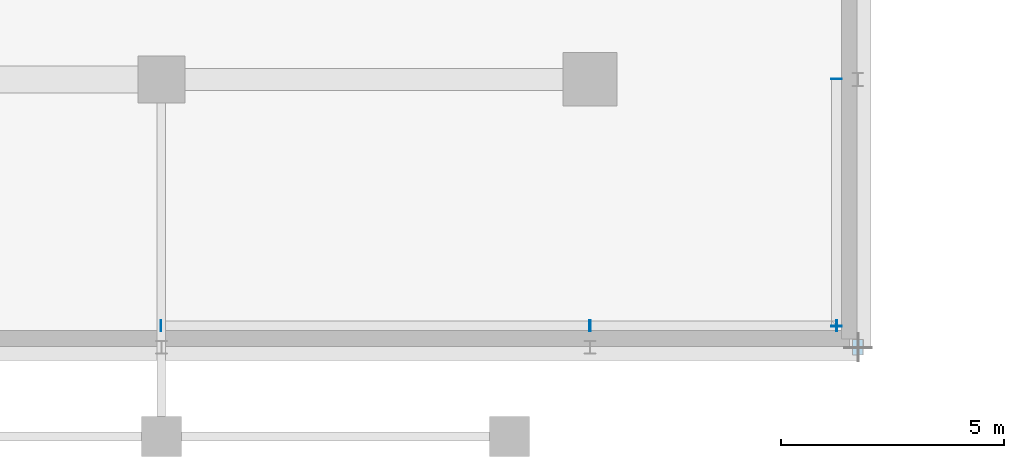
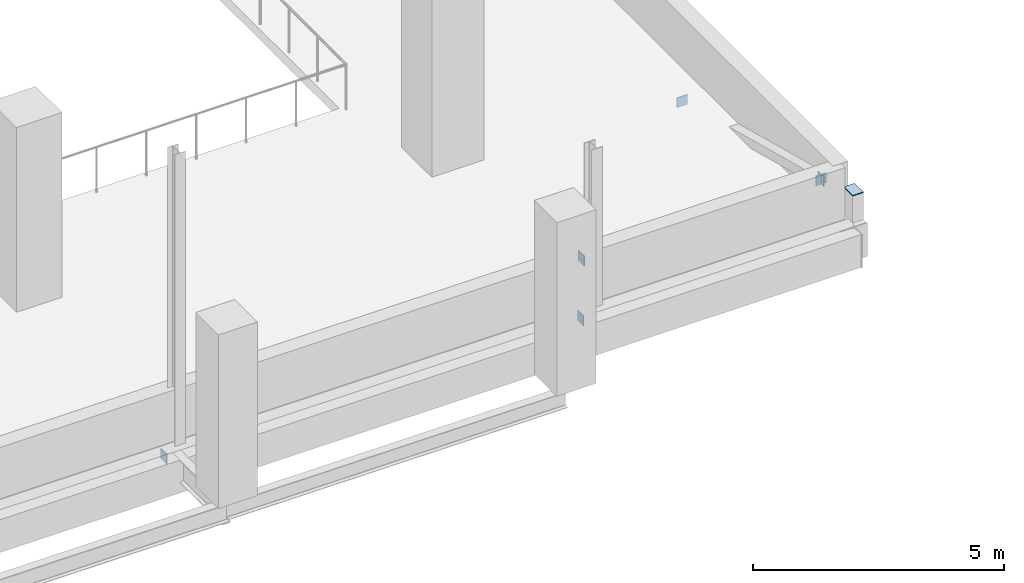
# One storey, part 65 of 85: 7 plates.
"""IFC4 building model written with IfcOpenShell, lengths in metres."""

from ifc_helpers import new_model, si_unit, derived_unit, direction, frame, origin, origin_2d, place, context, subcontext, project, spatial, rectangle, extrude, material, layer, layer_set, type_object, element, save


model = new_model("IFC4")

# Units and contexts
model_context = context("Model", 3, precision=1e-05, world=origin(), true_north=direction((0.0, 1.0)))
body_context = subcontext(model_context, "Body", "Model", "MODEL_VIEW")
ifc_project = project(units=[si_unit("LENGTHUNIT", "METRE"), si_unit("AREAUNIT", "SQUARE_METRE"), si_unit("VOLUMEUNIT", "CUBIC_METRE"), si_unit("PLANEANGLEUNIT", "RADIAN"), si_unit("MASSUNIT", "GRAM", prefix="KILO"), derived_unit("THERMALTRANSMITTANCEUNIT", [(si_unit("POWERUNIT", "WATT"), 1), (si_unit("LENGTHUNIT", "METRE"), -2), (si_unit("THERMODYNAMICTEMPERATUREUNIT", "KELVIN"), -1)])], contexts=[model_context])

# Site, building, storey
site_placement = place(None, origin())
site = spatial("IfcSite", under=ifc_project, at=site_placement, CompositionType="ELEMENT")
building_placement = place(site_placement, origin())
building = spatial("IfcBuilding", under=site, at=building_placement, Name="Nallur Shell Playhouse", CompositionType="ELEMENT")
storey_placement = place(building_placement, frame((0.0, 0.0, 19.800048828125)))
storey = spatial("IfcBuildingStorey", under=building, at=storey_placement, Name="L05", CompositionType="ELEMENT", Elevation=19.800048828125)

# Plates
ifc_material = material(Name="Steel E350", Category="steel")
ifc_layer = layer(ifc_material, 0.02001953125)
ifc_layer_set = layer_set([ifc_layer], Name="Steel E350")
plate_type = type_object("IfcPlateType", Name="PT-ENDCAP-20", PredefinedType="SHEET", material=ifc_layer_set)
plate_placement = place(storey_placement, frame((118.60009765625, 10.0, 0.64990234375), z_axis=(0.0, 0.0, 1.0), x_axis=(1.0, 0.0, 0.0)))
element("IfcPlate", 1, at=plate_placement, inside=storey, type_object=plate_type, Name="Hollow end cap EC-POST-GB-L05-08", PredefinedType="SHEET", context=body_context, shape_type="SweptSolid", body=[
    extrude(rectangle(XDim=0.25, YDim=0.35009765625, at=origin_2d()), origin(), (0.0, 0.0, 1.0), 0.02001953125),
])
for number, where, z_axis, x_axis, name in (
    (2, (118.1201171875, 16.009765625, -0.7724609375), (0.0, 0.0, 1.0), (1.0, 0.0, 0.0), "Hollow end cap EC-GBD-L05-3-A"),
    (3, (118.1201171875, 10.47021484375, 0.6826171875), (0.0, 0.0, 1.0), (1.0, 0.0, 0.0), "Hollow end cap EC-GBD-L05-3-B"),
):
    element("IfcPlate", number, at=place(storey_placement, frame(where, z_axis=z_axis, x_axis=x_axis)), inside=storey, type_object=plate_type, Name=name, PredefinedType="SHEET", context=body_context, shape_type="SweptSolid", body=[
        extrude(rectangle(XDim=0.239990234375, YDim=0.02001953125, at=origin_2d()), origin(), (0.0, 0.0, 1.0), 0.239990234375),
    ])
for number, where, z_axis, x_axis, name in (
    (4, (112.59033203125, 10.47998046875, -0.7724609375), (0.0, 0.0, 1.0), (1.0, 0.0, 0.0), "Hollow end cap EC-GBD-L05-7-A"),
    (5, (118.129638671875, 10.47998046875, 0.6826171875), (0.0, 0.0, 1.0), (1.0, 0.0, 0.0), "Hollow end cap EC-GBD-L05-7-B"),
    (6, (102.989990234375, 10.47998046875, -0.771484375), (0.0, 0.0, 1.0), (1.0, 0.0, 0.0), "Hollow end cap EC-GBD-L05-8-A"),
    (7, (112.60986328125, 10.47998046875, 0.681640625), (0.0, 0.0, 1.0), (1.0, 0.0, 0.0), "Hollow end cap EC-GBD-L05-8-B"),
):
    element("IfcPlate", number, at=place(storey_placement, frame(where, z_axis=z_axis, x_axis=x_axis)), inside=storey, type_object=plate_type, Name=name, PredefinedType="SHEET", context=body_context, shape_type="SweptSolid", body=[
        extrude(rectangle(XDim=0.02001953125, YDim=0.239990234375, at=origin_2d()), origin(), (0.0, 0.0, 1.0), 0.239990234375),
    ])

save(model, "model.ifc")
